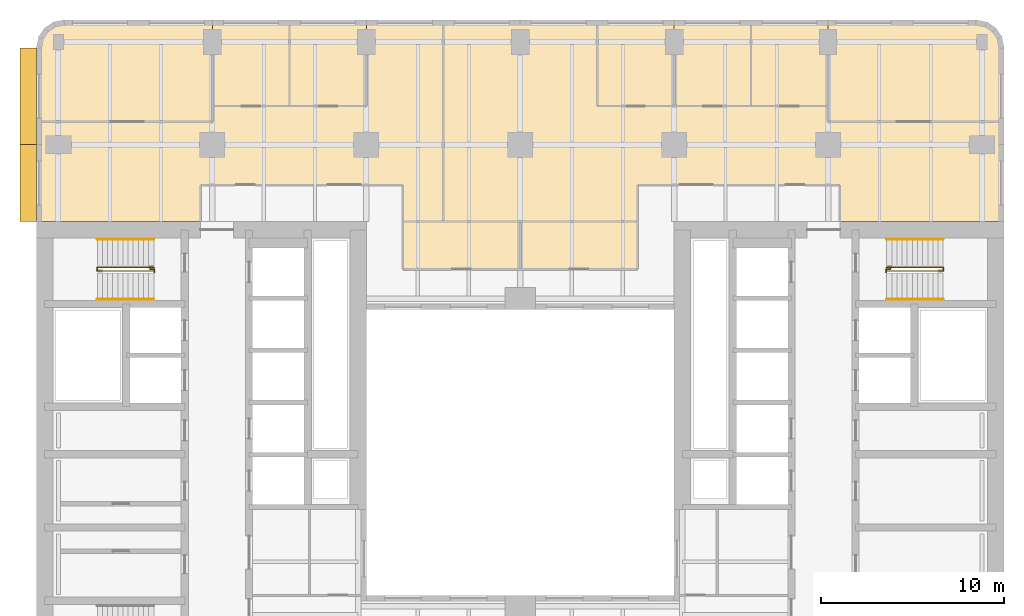
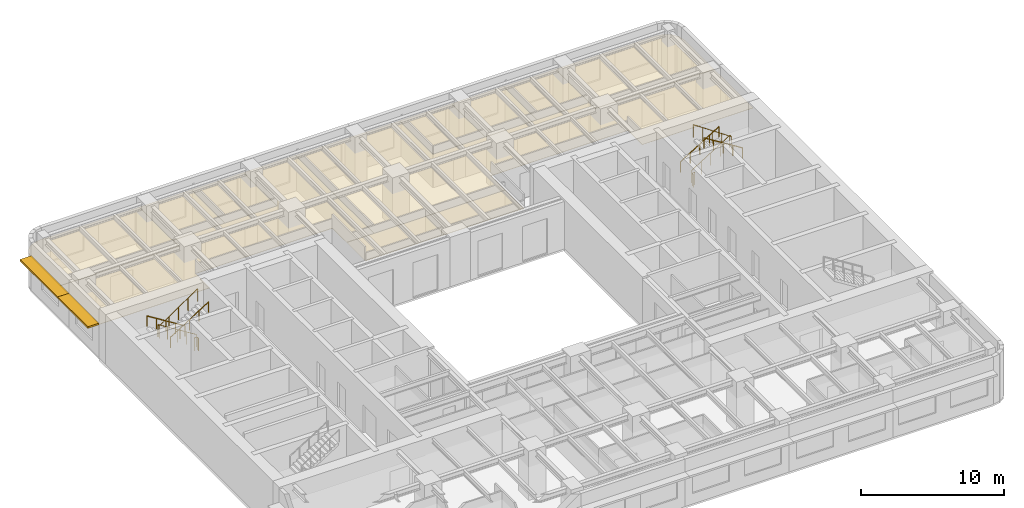
# One storey, part 11 of 11: 11 coverings, 8 railings, 2 shading devices.
"""IFC4 building model written with IfcOpenShell, lengths in metres."""

from ifc_helpers import new_model, si_unit, direction, frame, origin, origin_2d, place, context, subcontext, project, spatial, polyline, rectangle, circle, outline, extrude, material, layer, layer_set, type_object, element, save


model = new_model("IFC4")

# Units and contexts
model_context = context("Model", 3, precision=1e-05, world=origin(), true_north=direction((0.0, 1.0)))
body_context = subcontext(model_context, "Body", "Model", "MODEL_VIEW")
ifc_project = project(units=[si_unit("LENGTHUNIT", "METRE"), si_unit("AREAUNIT", "SQUARE_METRE"), si_unit("VOLUMEUNIT", "CUBIC_METRE"), si_unit("PLANEANGLEUNIT", "RADIAN"), si_unit("MASSUNIT", "GRAM", prefix="KILO")], contexts=[model_context])

# Site, building, storey
site_placement = place(None, origin())
site = spatial("IfcSite", under=ifc_project, at=site_placement, CompositionType="ELEMENT")
building_placement = place(site_placement, origin())
building = spatial("IfcBuilding", under=site, at=building_placement, Name="Claustro Exchange Tower", CompositionType="ELEMENT")
storey_placement = place(building_placement, frame((0.0, 0.0, 155.39990234375)))
storey = spatial("IfcBuildingStorey", under=building, at=storey_placement, Name="L35", CompositionType="ELEMENT", Elevation=155.39990234375)

# Coverings
ifc_material_1 = material(Name="Perforated metal ceiling tiles", Category="steel")
ifc_layer_1 = layer(ifc_material_1, 0.030029296875)
ifc_layer_set_1 = layer_set([ifc_layer_1], Name="Perforated metal ceiling tiles")
covering_type_1 = type_object("IfcCoveringType", Name="CL1 suspended metal ceiling", PredefinedType="CEILING", material=ifc_layer_set_1)
covering_1_placement = place(storey_placement, frame((0.0, 0.0, 2.800048828125)))
element("IfcCovering", 1, at=covering_1_placement, inside=storey, type_object=covering_type_1, Name="Ceiling CL1 L35-19", PredefinedType="CEILING", context=body_context, shape_type="SweptSolid", body=[
    extrude(outline(polyline([(-1.199951171875, 43.25), (-1.199951171875, 37.800048828125), (7.75, 37.800048828125), (7.75, 39.800048828125), (16.800048828125, 39.800048828125), (18.800048828125, 39.800048828125), (18.800048828125, 37.800048828125), (21.0, 37.800048828125), (21.0, 48.800048828125), (16.800048828125, 48.800048828125), (16.800048828125, 44.10009765625), (12.60009765625, 44.10009765625), (8.39990234375, 44.10009765625), (8.39990234375, 43.25), (-1.199951171875, 43.25)])), origin(), (0.0, 0.0, 1.0), 0.030029296875),
])
ifc_material_2 = material(Name="Gypsum board ceiling", Category="gypsum board")
ifc_layer_2 = layer(ifc_material_2, 0.02490234375)
ifc_layer_set_2 = layer_set([ifc_layer_2], Name="Gypsum board ceiling")
covering_type_2 = type_object("IfcCoveringType", Name="CL2 plasterboard ceiling", PredefinedType="CEILING", material=ifc_layer_set_2)
covering_2_placement = place(storey_placement, frame((0.0, 0.0, 2.800048828125)))
element("IfcCovering", 2, at=covering_2_placement, inside=storey, type_object=covering_type_2, Name="Ceiling CL2 L35-16", PredefinedType="CEILING", context=body_context, shape_type="SweptSolid", body=[
    extrude(outline(polyline([(18.800048828125, 35.199951171875), (25.199951171875, 35.199951171875), (25.199951171875, 37.800048828125), (18.800048828125, 37.800048828125), (18.800048828125, 35.199951171875)])), origin(), (0.0, 0.0, 1.0), 0.025146484375),
])
covering_3_placement = place(storey_placement, frame((0.0, 0.0, 2.800048828125)))
element("IfcCovering", 3, at=covering_3_placement, inside=storey, type_object=covering_type_2, Name="Ceiling CL2 L35-17", PredefinedType="CEILING", context=body_context, shape_type="SweptSolid", body=[
    extrude(outline(polyline([(25.199951171875, 35.199951171875), (31.60009765625, 35.199951171875), (31.60009765625, 37.800048828125), (25.199951171875, 37.800048828125), (25.199951171875, 35.199951171875)])), origin(), (0.0, 0.0, 1.0), 0.025146484375),
])
covering_4_placement = place(storey_placement, frame((0.0, 0.0, 2.800048828125)))
element("IfcCovering", 4, at=covering_4_placement, inside=storey, type_object=covering_type_2, Name="Ceiling CL2 L35-20", PredefinedType="CEILING", context=body_context, shape_type="SweptSolid", body=[
    extrude(outline(polyline([(29.39990234375, 48.800048828125), (21.0, 48.800048828125), (21.0, 37.800048828125), (31.60009765625, 37.800048828125), (31.60009765625, 39.800048828125), (42.64990234375, 39.800048828125), (42.64990234375, 37.800048828125), (51.60009765625, 37.800048828125), (51.60009765625, 43.25), (42.0, 43.25), (42.0, 44.10009765625), (37.800048828125, 44.10009765625), (33.60009765625, 44.10009765625), (29.39990234375, 44.10009765625), (29.39990234375, 48.800048828125)])), origin(), (0.0, 0.0, 1.0), 0.025146484375),
])
covering_5_placement = place(storey_placement, frame((0.0, 0.0, 2.800048828125)))
element("IfcCovering", 5, at=covering_5_placement, inside=storey, type_object=covering_type_2, Name="Ceiling CL2 L35-21", PredefinedType="CEILING", context=body_context, shape_type="SweptSolid", body=[
    extrude(outline(polyline([(-1.199951171875, 47.300048828125), (-1.199951171875, 43.25), (8.39990234375, 43.25), (8.39990234375, 48.800048828125), (0.300048828125, 48.800048828125), (-0.27392578125, 48.685791015625), (-0.7607421875, 48.360595703125), (-1.085693359375, 47.8740234375), (-1.199951171875, 47.300048828125)])), origin(), (0.0, 0.0, 1.0), 0.025146484375),
])
covering_6_placement = place(storey_placement, frame((0.0, 0.0, 2.800048828125)))
element("IfcCovering", 6, at=covering_6_placement, inside=storey, type_object=covering_type_2, Name="Ceiling CL2 L35-22", PredefinedType="CEILING", context=body_context, shape_type="SweptSolid", body=[
    extrude(outline(polyline([(50.10009765625, 48.800048828125), (42.0, 48.800048828125), (42.0, 43.25), (51.60009765625, 43.25), (51.60009765625, 47.300048828125), (51.48583984375, 47.8740234375), (51.16064453125, 48.360595703125), (50.674072265625, 48.685791015625), (50.10009765625, 48.800048828125)])), origin(), (0.0, 0.0, 1.0), 0.025146484375),
])
covering_7_placement = place(storey_placement, frame((0.0, 0.0, 2.800048828125)))
element("IfcCovering", 7, at=covering_7_placement, inside=storey, type_object=covering_type_2, Name="Ceiling CL2 L35-23", PredefinedType="CEILING", context=body_context, shape_type="SweptSolid", body=[
    extrude(outline(polyline([(12.60009765625, 48.800048828125), (8.39990234375, 48.800048828125), (8.39990234375, 44.10009765625), (12.60009765625, 44.10009765625), (12.60009765625, 48.800048828125)])), origin(), (0.0, 0.0, 1.0), 0.025146484375),
])
covering_8_placement = place(storey_placement, frame((0.0, 0.0, 2.800048828125)))
element("IfcCovering", 8, at=covering_8_placement, inside=storey, type_object=covering_type_2, Name="Ceiling CL2 L35-24", PredefinedType="CEILING", context=body_context, shape_type="SweptSolid", body=[
    extrude(outline(polyline([(16.800048828125, 48.800048828125), (12.60009765625, 48.800048828125), (12.60009765625, 44.10009765625), (16.800048828125, 44.10009765625), (16.800048828125, 48.800048828125)])), origin(), (0.0, 0.0, 1.0), 0.025146484375),
])
covering_9_placement = place(storey_placement, frame((0.0, 0.0, 2.800048828125)))
element("IfcCovering", 9, at=covering_9_placement, inside=storey, type_object=covering_type_2, Name="Ceiling CL2 L35-25", PredefinedType="CEILING", context=body_context, shape_type="SweptSolid", body=[
    extrude(outline(polyline([(33.60009765625, 48.800048828125), (29.39990234375, 48.800048828125), (29.39990234375, 44.10009765625), (33.60009765625, 44.10009765625), (33.60009765625, 48.800048828125)])), origin(), (0.0, 0.0, 1.0), 0.025146484375),
])
covering_10_placement = place(storey_placement, frame((0.0, 0.0, 2.800048828125)))
element("IfcCovering", 10, at=covering_10_placement, inside=storey, type_object=covering_type_2, Name="Ceiling CL2 L35-26", PredefinedType="CEILING", context=body_context, shape_type="SweptSolid", body=[
    extrude(outline(polyline([(37.800048828125, 48.800048828125), (33.60009765625, 48.800048828125), (33.60009765625, 44.10009765625), (37.800048828125, 44.10009765625), (37.800048828125, 48.800048828125)])), origin(), (0.0, 0.0, 1.0), 0.025146484375),
])
covering_11_placement = place(storey_placement, frame((0.0, 0.0, 2.800048828125)))
element("IfcCovering", 11, at=covering_11_placement, inside=storey, type_object=covering_type_2, Name="Ceiling CL2 L35-27", PredefinedType="CEILING", context=body_context, shape_type="SweptSolid", body=[
    extrude(outline(polyline([(42.0, 48.800048828125), (37.800048828125, 48.800048828125), (37.800048828125, 44.10009765625), (42.0, 44.10009765625), (42.0, 48.800048828125)])), origin(), (0.0, 0.0, 1.0), 0.025146484375),
])

# Railings
ifc_material_3 = material(Name="Steel balustrade, painted", Category="steel")
railing_type_1 = type_object("IfcRailingType", Name="GR2 1100 steel stair guard", PredefinedType="GUARDRAIL", material=ifc_material_3)
railing_1_placement = place(storey_placement, frame((5.199951171875, 35.300048828125, 0.175048828125)))
element("IfcRailing", 12, at=railing_1_placement, inside=storey, type_object=railing_type_1, Name="Stair well guard GR2 stair STWB L35", PredefinedType="GUARDRAIL", context=body_context, shape_type="SweptSolid", body=[
    extrude(circle(Radius=0.02392578125, at=origin_2d()), frame((0.0, 0.0, 1.076171875), z_axis=(-0.847979421464, 0.0, 0.530029150871), x_axis=(0.0, -1.0, 0.0)), (0.0, 0.0, 1.0), 3.632080078125),
    extrude(circle(Radius=0.02392578125, at=origin_2d()), frame((-3.079833984375, 0.0, 3.0009765625), z_axis=(0.0, -1.0, 0.0), x_axis=(1.0, 0.0, 0.0)), (0.0, 0.0, 1.0), 0.199951171875),
    extrude(circle(Radius=0.02392578125, at=origin_2d()), frame((-3.079833984375, -0.199951171875, 3.0009765625), z_axis=(0.826201015165, 0.0, 0.563375436579), x_axis=(0.0, 1.0, 0.0)), (0.0, 0.0, 1.0), 3.727783203125),
    extrude(circle(Radius=0.02099609375, at=origin_2d()), origin(), (0.0, 0.0, 1.0), 1.052001953125),
    extrude(circle(Radius=0.02099609375, at=origin_2d()), frame((-0.77001953125, 0.0, 0.481201171875)), (0.0, 0.0, 1.0), 1.052001953125),
    extrude(circle(Radius=0.02099609375, at=origin_2d()), frame((-1.5400390625, 0.0, 0.96240234375)), (0.0, 0.0, 1.0), 1.052001953125),
    extrude(circle(Radius=0.02099609375, at=origin_2d()), frame((-2.309814453125, 0.0, 1.44384765625)), (0.0, 0.0, 1.0), 1.052001953125),
    extrude(circle(Radius=0.02099609375, at=origin_2d()), frame((-3.079833984375, 0.0, 1.925048828125)), (0.0, 0.0, 1.0), 1.052001953125),
    extrude(circle(Radius=0.02099609375, at=origin_2d()), frame((-3.079833984375, -0.199951171875, 1.925048828125)), (0.0, 0.0, 1.0), 1.052001953125),
    extrude(circle(Radius=0.02099609375, at=origin_2d()), frame((-2.309814453125, -0.199951171875, 2.4501953125)), (0.0, 0.0, 1.0), 1.052001953125),
    extrude(circle(Radius=0.02099609375, at=origin_2d()), frame((-1.5400390625, -0.199951171875, 2.97509765625)), (0.0, 0.0, 1.0), 1.052001953125),
    extrude(circle(Radius=0.02099609375, at=origin_2d()), frame((-0.77001953125, -0.199951171875, 3.5)), (0.0, 0.0, 1.0), 1.052001953125),
    extrude(circle(Radius=0.02099609375, at=origin_2d()), frame((0.0, -0.199951171875, 4.025146484375)), (0.0, 0.0, 1.0), 1.052001953125),
])
railing_2_placement = place(storey_placement, frame((5.0, 35.22998046875, 0.0)))
element("IfcRailing", 13, at=railing_2_placement, inside=storey, type_object=railing_type_1, Name="Stair guard GR2 STWB L35", PredefinedType="GUARDRAIL", context=body_context, shape_type="SweptSolid", body=[
    extrude(circle(Radius=0.02392578125, at=origin_2d()), frame((0.0, 0.0, 1.076171875), z_axis=(0.0, -1.0, 0.0), x_axis=(1.0, 0.0, 0.0)), (0.0, 0.0, 1.0), 0.030029296875),
    extrude(circle(Radius=0.02392578125, at=origin_2d()), frame((0.0, -0.030029296875, 1.076171875), z_axis=(1.0, 0.0, 0.0), x_axis=(0.0, 1.0, 0.0)), (0.0, 0.0, 1.0), 0.22509765625),
    extrude(circle(Radius=0.02392578125, at=origin_2d()), frame((0.22509765625, -0.030029296875, 1.076171875), z_axis=(0.0, -1.0, 0.0), x_axis=(1.0, 0.0, 0.0)), (0.0, 0.0, 1.0), 0.179931640625),
    extrude(circle(Radius=0.02099609375, at=origin_2d()), origin(), (0.0, 0.0, 1.0), 1.052001953125),
    extrude(circle(Radius=0.02099609375, at=origin_2d()), frame((0.0, -0.030029296875, 0.0)), (0.0, 0.0, 1.0), 1.052001953125),
    extrude(circle(Radius=0.02099609375, at=origin_2d()), frame((0.22509765625, -0.030029296875, 0.0)), (0.0, 0.0, 1.0), 1.052001953125),
    extrude(circle(Radius=0.02099609375, at=origin_2d()), frame((0.22509765625, -0.2099609375, 0.0)), (0.0, 0.0, 1.0), 1.052001953125),
])
railing_3_placement = place(storey_placement, frame((45.199951171875, 35.300048828125, 0.175048828125)))
element("IfcRailing", 14, at=railing_3_placement, inside=storey, type_object=railing_type_1, Name="Stair well guard GR2 stair STEB L35", PredefinedType="GUARDRAIL", context=body_context, shape_type="SweptSolid", body=[
    extrude(circle(Radius=0.02392578125, at=origin_2d()), frame((0.0, 0.0, 1.076171875), z_axis=(0.847998304005, 0.0, 0.529998940003), x_axis=(0.0, 1.0, 0.0)), (0.0, 0.0, 1.0), 3.632080078125),
    extrude(circle(Radius=0.02392578125, at=origin_2d()), frame((3.080078125, 0.0, 3.0009765625), z_axis=(0.0, -1.0, 0.0), x_axis=(1.0, 0.0, 0.0)), (0.0, 0.0, 1.0), 0.199951171875),
    extrude(circle(Radius=0.02392578125, at=origin_2d()), frame((3.080078125, -0.199951171875, 3.0009765625), z_axis=(-0.826221800596, 0.0, 0.563344953133), x_axis=(0.0, -1.0, 0.0)), (0.0, 0.0, 1.0), 3.72802734375),
    extrude(circle(Radius=0.02099609375, at=origin_2d()), origin(), (0.0, 0.0, 1.0), 1.052001953125),
    extrude(circle(Radius=0.02099609375, at=origin_2d()), frame((0.77001953125, 0.0, 0.481201171875)), (0.0, 0.0, 1.0), 1.052001953125),
    extrude(circle(Radius=0.02099609375, at=origin_2d()), frame((1.5400390625, 0.0, 0.96240234375)), (0.0, 0.0, 1.0), 1.052001953125),
    extrude(circle(Radius=0.02099609375, at=origin_2d()), frame((2.31005859375, 0.0, 1.44384765625)), (0.0, 0.0, 1.0), 1.052001953125),
    extrude(circle(Radius=0.02099609375, at=origin_2d()), frame((3.080078125, 0.0, 1.925048828125)), (0.0, 0.0, 1.0), 1.052001953125),
    extrude(circle(Radius=0.02099609375, at=origin_2d()), frame((3.080078125, -0.199951171875, 1.925048828125)), (0.0, 0.0, 1.0), 1.052001953125),
    extrude(circle(Radius=0.02099609375, at=origin_2d()), frame((2.31005859375, -0.199951171875, 2.4501953125)), (0.0, 0.0, 1.0), 1.052001953125),
    extrude(circle(Radius=0.02099609375, at=origin_2d()), frame((1.5400390625, -0.199951171875, 2.97509765625)), (0.0, 0.0, 1.0), 1.052001953125),
    extrude(circle(Radius=0.02099609375, at=origin_2d()), frame((0.77001953125, -0.199951171875, 3.5)), (0.0, 0.0, 1.0), 1.052001953125),
    extrude(circle(Radius=0.02099609375, at=origin_2d()), frame((0.0, -0.199951171875, 4.025146484375)), (0.0, 0.0, 1.0), 1.052001953125),
])
railing_4_placement = place(storey_placement, frame((45.39990234375, 35.22998046875, 0.0)))
element("IfcRailing", 15, at=railing_4_placement, inside=storey, type_object=railing_type_1, Name="Stair guard GR2 STEB L35", PredefinedType="GUARDRAIL", context=body_context, shape_type="SweptSolid", body=[
    extrude(circle(Radius=0.02392578125, at=origin_2d()), frame((0.0, 0.0, 1.076171875), z_axis=(0.0, -1.0, 0.0), x_axis=(1.0, 0.0, 0.0)), (0.0, 0.0, 1.0), 0.030029296875),
    extrude(circle(Radius=0.02392578125, at=origin_2d()), frame((0.0, -0.030029296875, 1.076171875), z_axis=(-1.0, 0.0, 0.0), x_axis=(0.0, -1.0, 0.0)), (0.0, 0.0, 1.0), 0.224853515625),
    extrude(circle(Radius=0.02392578125, at=origin_2d()), frame((-0.224853515625, -0.030029296875, 1.076171875), z_axis=(0.0, -1.0, 0.0), x_axis=(1.0, 0.0, 0.0)), (0.0, 0.0, 1.0), 0.179931640625),
    extrude(circle(Radius=0.02099609375, at=origin_2d()), origin(), (0.0, 0.0, 1.0), 1.052001953125),
    extrude(circle(Radius=0.02099609375, at=origin_2d()), frame((0.0, -0.030029296875, 0.0)), (0.0, 0.0, 1.0), 1.052001953125),
    extrude(circle(Radius=0.02099609375, at=origin_2d()), frame((-0.224853515625, -0.030029296875, 0.0)), (0.0, 0.0, 1.0), 1.052001953125),
    extrude(circle(Radius=0.02099609375, at=origin_2d()), frame((-0.224853515625, -0.2099609375, 0.0)), (0.0, 0.0, 1.0), 1.052001953125),
])
ifc_material_4 = material(Name="Stainless steel tube", Category="steel")
railing_type_2 = type_object("IfcRailingType", Name="HR1 900 stair handrail", PredefinedType="HANDRAIL", material=ifc_material_4)
railing_5_placement = place(storey_placement, frame((5.199951171875, 36.840087890625, 0.175048828125)))
element("IfcRailing", 16, at=railing_5_placement, inside=storey, type_object=railing_type_2, Name="Handrail HR1 stair STWB L35", PredefinedType="HANDRAIL", context=body_context, shape_type="SweptSolid", body=[
    extrude(circle(Radius=0.02392578125, at=origin_2d()), frame((0.0, 0.0, 0.8759765625), z_axis=(-0.847979421464, 0.0, 0.530029150871), x_axis=(0.0, -1.0, 0.0)), (0.0, 0.0, 1.0), 3.632080078125),
    extrude(circle(Radius=0.02099609375, at=origin_2d()), origin(), (0.0, 0.0, 1.0), 0.851806640625),
    extrude(circle(Radius=0.02099609375, at=origin_2d()), frame((-0.77001953125, 0.0, 0.481201171875)), (0.0, 0.0, 1.0), 0.851806640625),
    extrude(circle(Radius=0.02099609375, at=origin_2d()), frame((-1.5400390625, 0.0, 0.96240234375)), (0.0, 0.0, 1.0), 0.851806640625),
    extrude(circle(Radius=0.02099609375, at=origin_2d()), frame((-2.309814453125, 0.0, 1.44384765625)), (0.0, 0.0, 1.0), 0.851806640625),
    extrude(circle(Radius=0.02099609375, at=origin_2d()), frame((-3.079833984375, 0.0, 1.925048828125)), (0.0, 0.0, 1.0), 0.851806640625),
])
railing_6_placement = place(storey_placement, frame((2.1201171875, 33.56005859375, 2.275146484375)))
element("IfcRailing", 17, at=railing_6_placement, inside=storey, type_object=railing_type_2, Name="Handrail HR1 stair STWB L35", PredefinedType="HANDRAIL", context=body_context, shape_type="SweptSolid", body=[
    extrude(circle(Radius=0.02392578125, at=origin_2d()), frame((0.0, 0.0, 0.8759765625), z_axis=(0.847979421464, 0.0, 0.530029150871), x_axis=(0.0, 1.0, 0.0)), (0.0, 0.0, 1.0), 3.632080078125),
    extrude(circle(Radius=0.02099609375, at=origin_2d()), origin(), (0.0, 0.0, 1.0), 0.851806640625),
    extrude(circle(Radius=0.02099609375, at=origin_2d()), frame((0.77001953125, 0.0, 0.481201171875)), (0.0, 0.0, 1.0), 0.851806640625),
    extrude(circle(Radius=0.02099609375, at=origin_2d()), frame((1.5400390625, 0.0, 0.96240234375)), (0.0, 0.0, 1.0), 0.851806640625),
    extrude(circle(Radius=0.02099609375, at=origin_2d()), frame((2.309814453125, 0.0, 1.44384765625)), (0.0, 0.0, 1.0), 0.851806640625),
    extrude(circle(Radius=0.02099609375, at=origin_2d()), frame((3.079833984375, 0.0, 1.925048828125)), (0.0, 0.0, 1.0), 0.851806640625),
])
railing_7_placement = place(storey_placement, frame((45.199951171875, 36.840087890625, 0.175048828125)))
element("IfcRailing", 18, at=railing_7_placement, inside=storey, type_object=railing_type_2, Name="Handrail HR1 stair STEB L35", PredefinedType="HANDRAIL", context=body_context, shape_type="SweptSolid", body=[
    extrude(circle(Radius=0.02392578125, at=origin_2d()), frame((0.0, 0.0, 0.8759765625), z_axis=(0.847998304005, 0.0, 0.529998940003), x_axis=(0.0, 1.0, 0.0)), (0.0, 0.0, 1.0), 3.632080078125),
    extrude(circle(Radius=0.02099609375, at=origin_2d()), origin(), (0.0, 0.0, 1.0), 0.851806640625),
    extrude(circle(Radius=0.02099609375, at=origin_2d()), frame((0.77001953125, 0.0, 0.481201171875)), (0.0, 0.0, 1.0), 0.851806640625),
    extrude(circle(Radius=0.02099609375, at=origin_2d()), frame((1.5400390625, 0.0, 0.96240234375)), (0.0, 0.0, 1.0), 0.851806640625),
    extrude(circle(Radius=0.02099609375, at=origin_2d()), frame((2.31005859375, 0.0, 1.44384765625)), (0.0, 0.0, 1.0), 0.851806640625),
    extrude(circle(Radius=0.02099609375, at=origin_2d()), frame((3.080078125, 0.0, 1.925048828125)), (0.0, 0.0, 1.0), 0.851806640625),
])
railing_8_placement = place(storey_placement, frame((48.280029296875, 33.56005859375, 2.275146484375)))
element("IfcRailing", 19, at=railing_8_placement, inside=storey, type_object=railing_type_2, Name="Handrail HR1 stair STEB L35", PredefinedType="HANDRAIL", context=body_context, shape_type="SweptSolid", body=[
    extrude(circle(Radius=0.02392578125, at=origin_2d()), frame((0.0, 0.0, 0.8759765625), z_axis=(-0.847998304005, 0.0, 0.529998940003), x_axis=(0.0, -1.0, 0.0)), (0.0, 0.0, 1.0), 3.632080078125),
    extrude(circle(Radius=0.02099609375, at=origin_2d()), origin(), (0.0, 0.0, 1.0), 0.851806640625),
    extrude(circle(Radius=0.02099609375, at=origin_2d()), frame((-0.77001953125, 0.0, 0.481201171875)), (0.0, 0.0, 1.0), 0.851806640625),
    extrude(circle(Radius=0.02099609375, at=origin_2d()), frame((-1.5400390625, 0.0, 0.96240234375)), (0.0, 0.0, 1.0), 0.851806640625),
    extrude(circle(Radius=0.02099609375, at=origin_2d()), frame((-2.31005859375, 0.0, 1.44384765625)), (0.0, 0.0, 1.0), 0.851806640625),
    extrude(circle(Radius=0.02099609375, at=origin_2d()), frame((-3.080078125, 0.0, 1.925048828125)), (0.0, 0.0, 1.0), 0.851806640625),
])

# Shading devices
ifc_material_5 = material(Name="Concrete HA-40 (C40/50), precast, white cement, acid-etched", Category="concrete")
ifc_layer_3 = layer(ifc_material_5, 0.14990234375)
ifc_layer_set_3 = layer_set([ifc_layer_3], Name="Concrete HA-40 (C40/50), precast, white cement, acid-etched")
shading_device_type = type_object("IfcShadingDeviceType", Name="SS2 900 precast concrete SUNSHADE", PredefinedType="SHUTTER", material=ifc_layer_set_3)
shading_device_1_placement = place(storey_placement, frame((-1.64990234375, 39.89990234375, 2.800048828125), z_axis=(0.0, 0.0, 1.0), x_axis=(0.0, 1.0, 0.0)))
element("IfcShadingDevice", 20, at=shading_device_1_placement, inside=storey, type_object=shading_device_type, Name="Precast SUNSHADE SS2 L35", PredefinedType="SHUTTER", context=body_context, shape_type="SweptSolid", body=[
    extrude(rectangle(XDim=4.199951171875, YDim=0.89990234375, at=origin_2d()), origin(), (0.0, 0.0, 1.0), 0.14990234375),
])
shading_device_2_placement = place(storey_placement, frame((-1.64990234375, 44.642578125, 2.800048828125), z_axis=(0.0, 0.0, 1.0), x_axis=(0.0, 1.0, 0.0)))
element("IfcShadingDevice", 21, at=shading_device_2_placement, inside=storey, type_object=shading_device_type, Name="Precast SUNSHADE SS2 L35", PredefinedType="SHUTTER", context=body_context, shape_type="SweptSolid", body=[
    extrude(rectangle(XDim=5.28515625, YDim=0.89990234375, at=origin_2d()), origin(), (0.0, 0.0, 1.0), 0.14990234375),
])

save(model, "model.ifc")
